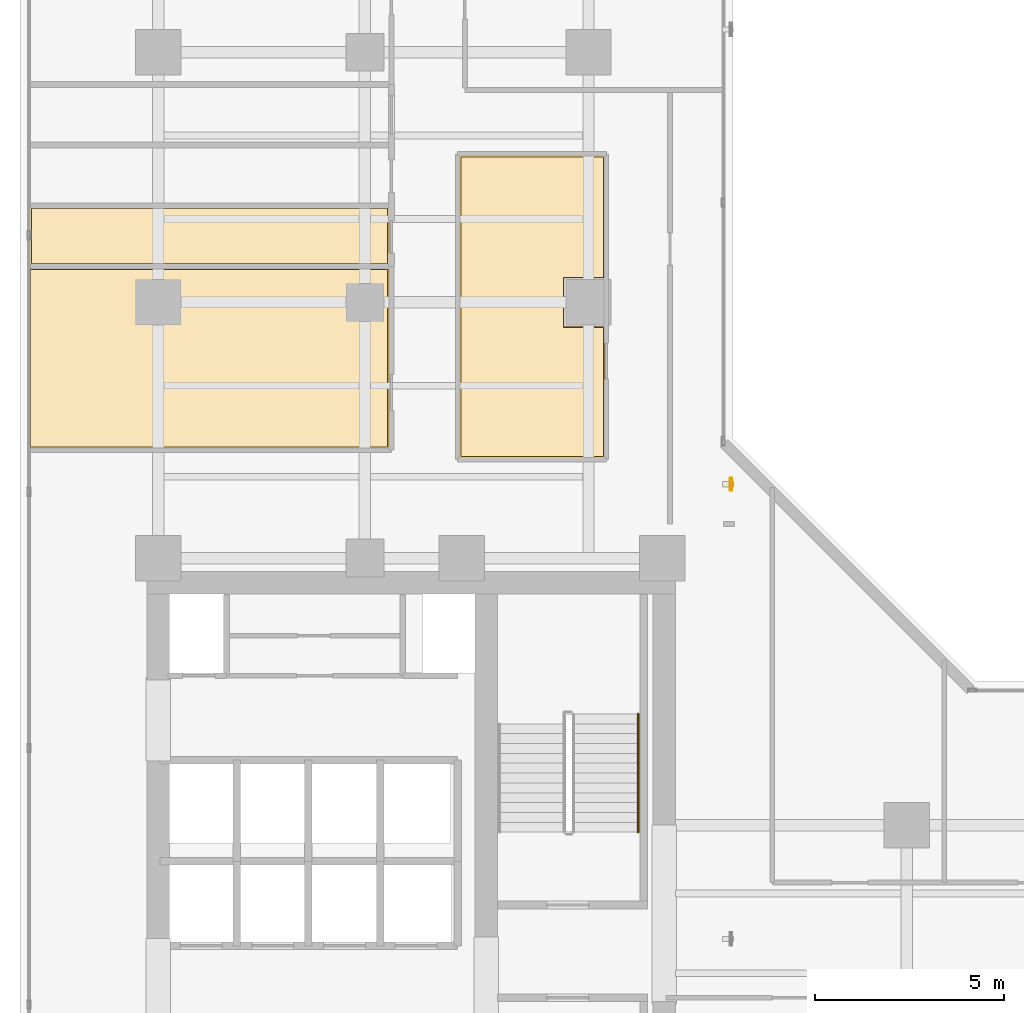
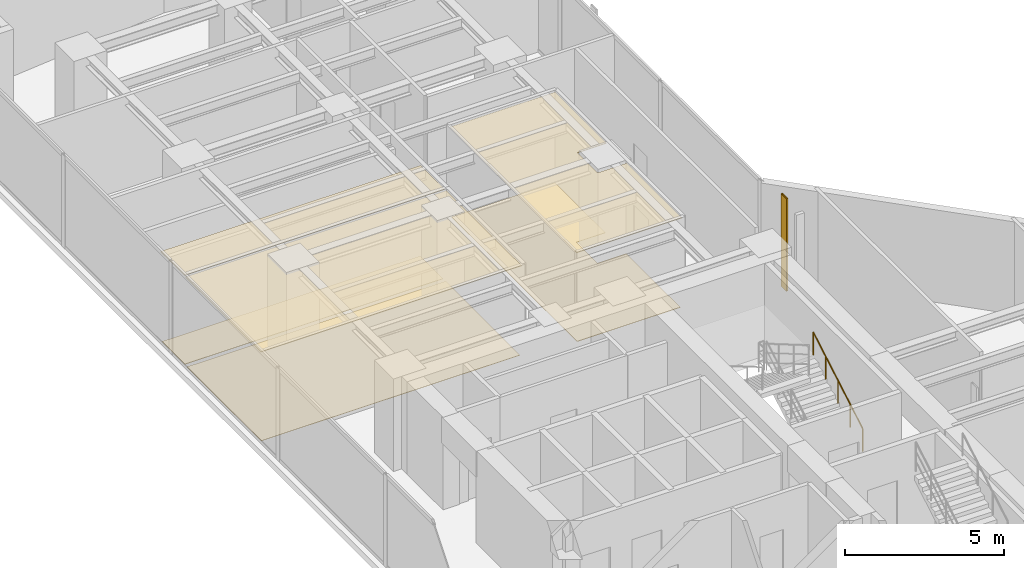
# One storey, part 24 of 26: 6 coverings, 1 railing, 1 shading device.
"""IFC4 building model written with IfcOpenShell, lengths in metres."""

from ifc_helpers import new_model, si_unit, direction, frame, origin, origin_2d, place, context, subcontext, project, spatial, polyline, hollow_rectangle, circle, outline, extrude, material, layer, layer_set, material_profile, profile_set, type_object, element, save


model = new_model("IFC4")

# Units and contexts
model_context = context("Model", 3, precision=1e-05, world=origin(), true_north=direction((0.0, 1.0)))
body_context = subcontext(model_context, "Body", "Model", "MODEL_VIEW")
ifc_project = project(units=[si_unit("LENGTHUNIT", "METRE"), si_unit("AREAUNIT", "SQUARE_METRE"), si_unit("VOLUMEUNIT", "CUBIC_METRE"), si_unit("PLANEANGLEUNIT", "RADIAN"), si_unit("MASSUNIT", "GRAM", prefix="KILO")], contexts=[model_context])

# Site, building, storey
site_placement = place(None, origin())
site = spatial("IfcSite", under=ifc_project, at=site_placement, CompositionType="ELEMENT")
building_placement = place(site_placement, origin())
building = spatial("IfcBuilding", under=site, at=building_placement, Name="Kolvaren Waterfront Exchange", CompositionType="ELEMENT")
storey_placement = place(building_placement, frame((0.0, 0.0, 150.0)))
storey = spatial("IfcBuildingStorey", under=building, at=storey_placement, Name="L38", CompositionType="ELEMENT", Elevation=150.0)

# Coverings
ifc_material_1 = material(Name="Mineral fibre acoustic ceiling tile")
ifc_layer_1 = layer(ifc_material_1, 0.02490234375, Name="Mineral fibre acoustic ceiling tile")
ifc_layer_set_1 = layer_set([ifc_layer_1], Name="Mineral fibre acoustic ceiling tile")
covering_type_1 = type_object("IfcCoveringType", Name="ARC-CEIL-ACOUSTIC-25", PredefinedType="CEILING", material=ifc_layer_set_1)
covering_1_placement = place(storey_placement, frame((0.0, 0.0, 3.445068359375)))
element("IfcCovering", 1, at=covering_1_placement, inside=storey, type_object=covering_type_1, Name="L38 acoustic suspended ceiling 1", PredefinedType="CEILING", context=body_context, shape_type="SweptSolid", body=[
    extrude(outline(polyline([(19.22509765625, 30.56005859375), (18.159912109375, 30.56005859375), (18.159912109375, 31.840087890625), (19.22509765625, 31.840087890625), (19.22509765625, 35.074951171875), (15.39501953125, 35.074951171875), (15.39501953125, 27.094970703125), (19.22509765625, 27.094970703125), (19.22509765625, 30.56005859375)])), origin(), (0.0, 0.0, 1.0), 0.02490234375),
])
covering_2_placement = place(storey_placement, frame((0.0, 0.0, 3.445068359375)))
element("IfcCovering", 2, at=covering_2_placement, inside=storey, type_object=covering_type_1, Name="L38 acoustic suspended ceiling 2", PredefinedType="CEILING", context=body_context, shape_type="SweptSolid", body=[
    extrude(outline(polyline([(13.534912109375, 27.344970703125), (13.534912109375, 32.10498046875), (4.044921875, 32.10498046875), (4.044921875, 27.344970703125), (13.534912109375, 27.344970703125)])), origin(), (0.0, 0.0, 1.0), 0.02490234375),
])
covering_3_placement = place(storey_placement, frame((0.0, 0.0, 3.445068359375)))
element("IfcCovering", 3, at=covering_3_placement, inside=storey, type_object=covering_type_1, Name="L38 acoustic suspended ceiling 3", PredefinedType="CEILING", context=body_context, shape_type="SweptSolid", body=[
    extrude(outline(polyline([(13.534912109375, 32.195068359375), (13.534912109375, 33.705078125), (4.06494140625, 33.705078125), (4.06494140625, 32.195068359375), (13.534912109375, 32.195068359375)])), origin(), (0.0, 0.0, 1.0), 0.02490234375),
])

# Shading device
ifc_material_2 = material(Name="Anodised bronze aluminium 6063-T6", Category="aluminium")
ifc_material_profile = material_profile(ifc_material_2, hollow_rectangle(XDim=0.06005859375, YDim=0.35009765625, WallThickness=0.0048828125, at=origin_2d()), Name="BRZ-FIN-350x60x5")
ifc_profile_set = profile_set([ifc_material_profile], Name="Anodised bronze aluminium 6063-T6")
shading_device_type = type_object("IfcShadingDeviceType", Name="ARC-FIN-350", PredefinedType="USERDEFINED", material=ifc_profile_set)
shading_device_placement = place(storey_placement, frame((22.56005859375, 26.39990234375, 0.0), z_axis=(0.0, 0.0, 1.0), x_axis=(1.0, 0.0, 0.0)))
element("IfcShadingDevice", 4, at=shading_device_placement, inside=storey, type_object=shading_device_type, Name="L38 anodised bronze solar shading fin FIN-L38-E2", ObjectType="SOLAR FIN", PredefinedType="USERDEFINED", context=body_context, shape_type="SweptSolid", body=[
    extrude(hollow_rectangle(XDim=0.06005859375, YDim=0.35009765625, WallThickness=0.0048828125, at=origin_2d()), origin(), (0.0, 0.0, 1.0), 3.56005859375),
])

# Coverings
ifc_material_3 = material(Name="Slip-resistant porcelain tile")
ifc_layer_2 = layer(ifc_material_3, 0.014892578125, Name="Slip-resistant porcelain tile")
ifc_layer_set_2 = layer_set([ifc_layer_2], Name="Slip-resistant porcelain tile")
covering_type_2 = type_object("IfcCoveringType", Name="ARC-FLR-PORC-15", PredefinedType="FLOORING", material=ifc_layer_set_2)
covering_4_placement = place(storey_placement, origin())
element("IfcCovering", 5, at=covering_4_placement, inside=storey, type_object=covering_type_2, Name="L38 floor finish 1", PredefinedType="FLOORING", context=body_context, shape_type="SweptSolid", body=[
    extrude(outline(polyline([(15.429931640625, 35.0400390625), (15.429931640625, 27.1298828125), (19.18994140625, 27.1298828125), (19.18994140625, 30.5400390625), (18.139892578125, 30.5400390625), (18.139892578125, 31.860107421875), (19.18994140625, 31.860107421875), (19.18994140625, 35.0400390625), (15.429931640625, 35.0400390625)])), origin(), (0.0, 0.0, 1.0), 0.014892578125),
])
covering_5_placement = place(storey_placement, origin())
element("IfcCovering", 6, at=covering_5_placement, inside=storey, type_object=covering_type_2, Name="L38 floor finish 2", PredefinedType="FLOORING", context=body_context, shape_type="SweptSolid", body=[
    extrude(outline(polyline([(4.080078125, 32.070068359375), (4.080078125, 27.3798828125), (13.5, 27.3798828125), (13.5, 32.070068359375), (4.080078125, 32.070068359375)])), origin(), (0.0, 0.0, 1.0), 0.014892578125),
])
covering_6_placement = place(storey_placement, origin())
element("IfcCovering", 7, at=covering_6_placement, inside=storey, type_object=covering_type_2, Name="L38 floor finish 3", PredefinedType="FLOORING", context=body_context, shape_type="SweptSolid", body=[
    extrude(outline(polyline([(4.10009765625, 33.669921875), (4.10009765625, 32.22998046875), (13.5, 32.22998046875), (13.5, 33.669921875), (4.10009765625, 33.669921875)])), origin(), (0.0, 0.0, 1.0), 0.014892578125),
])

# Railing
ifc_material_4 = material(Name="Stainless steel 316", Category="steel")
railing_type = type_object("IfcRailingType", Name="ARC-HANDRAIL-900", PredefinedType="HANDRAIL", material=ifc_material_4)
railing_placement = place(storey_placement, frame((20.110107421875, 17.219970703125, 0.152099609375)))
element("IfcRailing", 8, at=railing_placement, inside=storey, type_object=railing_type, Name="L38 ST2 stair handrail 1", PredefinedType="HANDRAIL", context=body_context, shape_type="SweptSolid", body=[
    extrude(circle(Radius=0.02392578125, at=origin_2d()), frame((0.0, 0.0, 0.8759765625), z_axis=(0.0, 0.86330811405, 0.504677223793), x_axis=(-1.0, 0.0, 0.0)), (0.0, 0.0, 1.0), 3.6142578125),
    extrude(circle(Radius=0.02099609375, at=origin_2d()), origin(), (0.0, 0.0, 1.0), 0.851806640625),
    extrude(circle(Radius=0.02099609375, at=origin_2d()), frame((0.0, 0.780029296875, 0.4560546875)), (0.0, 0.0, 1.0), 0.851806640625),
    extrude(circle(Radius=0.02099609375, at=origin_2d()), frame((0.0, 1.56005859375, 0.912109375)), (0.0, 0.0, 1.0), 0.851806640625),
    extrude(circle(Radius=0.02099609375, at=origin_2d()), frame((0.0, 2.340087890625, 1.367919921875)), (0.0, 0.0, 1.0), 0.851806640625),
    extrude(circle(Radius=0.02099609375, at=origin_2d()), frame((0.0, 3.1201171875, 1.823974609375)), (0.0, 0.0, 1.0), 0.851806640625),
])

save(model, "model.ifc")
